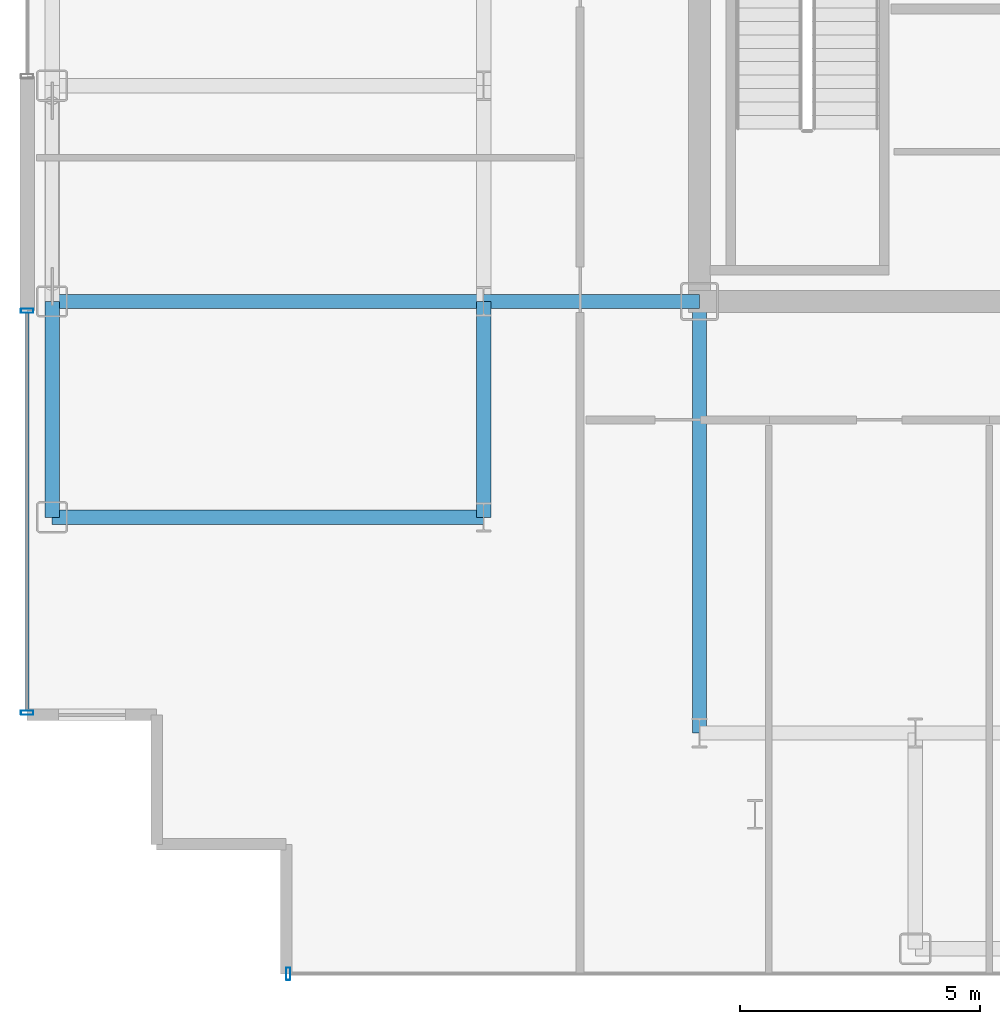
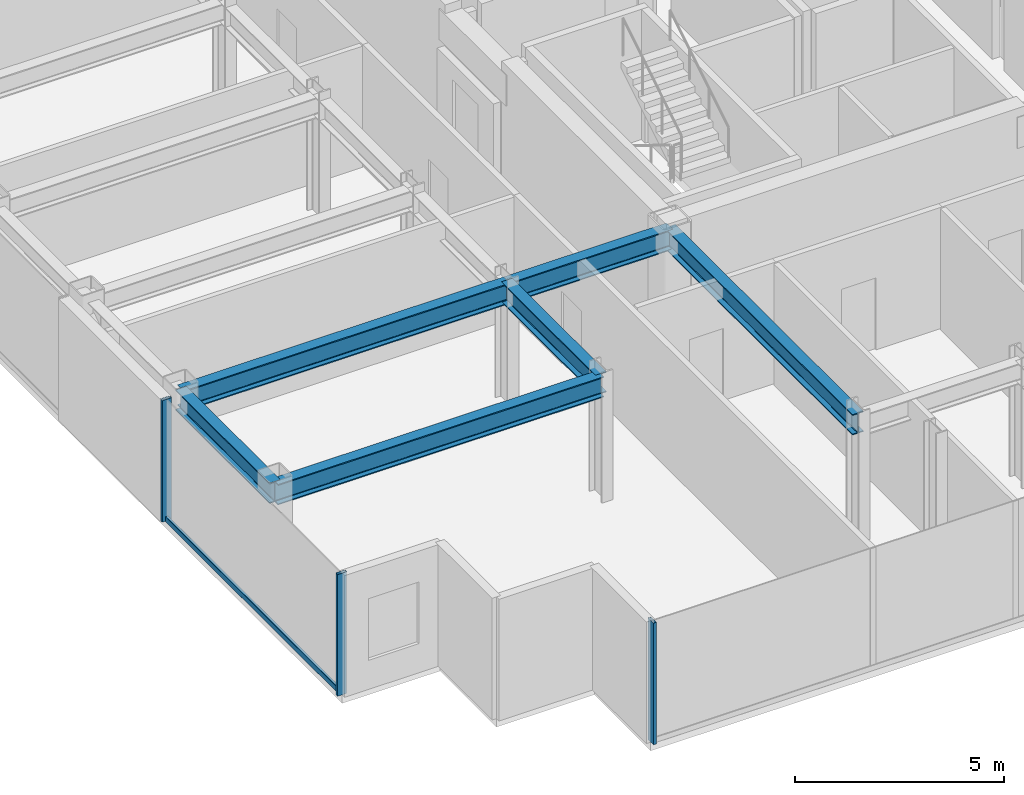
# One storey, part 2 of 16: 6 beams, 4 members, 2 elements without a shape of their own.
"""IFC4 building model written with IfcOpenShell, lengths in metres."""

from ifc_helpers import new_model, si_unit, direction, frame, origin, origin_2d, place, context, subcontext, project, spatial, hollow_rectangle, i_section, extrude, source, transform, mapped, material, layer, layer_set, material_profile, profile_set, type_object, element, aggregate, save


model = new_model("IFC4")

# Units and contexts
model_context = context("Model", 3, precision=1e-05, world=origin(), true_north=direction((0.0, 1.0)))
body_context = subcontext(model_context, "Body", "Model", "MODEL_VIEW")
ifc_project = project(units=[si_unit("LENGTHUNIT", "METRE"), si_unit("AREAUNIT", "SQUARE_METRE"), si_unit("VOLUMEUNIT", "CUBIC_METRE"), si_unit("PLANEANGLEUNIT", "RADIAN"), si_unit("MASSUNIT", "GRAM", prefix="KILO")], contexts=[model_context])

# Site, building, storey
site_placement = place(None, origin())
site = spatial("IfcSite", under=ifc_project, at=site_placement, CompositionType="ELEMENT")
building_placement = place(site_placement, origin())
building = spatial("IfcBuilding", under=site, at=building_placement, Name="Nefas-Gora Pilgrimage Tower", CompositionType="ELEMENT")
storey_placement = place(building_placement, frame((0.0, 0.0, 287.39990234375)))
storey = spatial("IfcBuildingStorey", under=building, at=storey_placement, Name="L72", CompositionType="ELEMENT", Elevation=287.39990234375)

# Beams
ifc_material_1 = material(Name="Steel S355", Category="steel")
ifc_material_profile_1 = material_profile(ifc_material_1, i_section(OverallWidth=0.300048828125, OverallDepth=0.60009765625, WebThickness=0.015380859375, FlangeThickness=0.030029296875, FilletRadius=0.027099609375, at=origin_2d()), Name="HEB 600")
ifc_profile_set_1 = profile_set([ifc_material_profile_1], Name="Steel S355")
beam_type_1 = type_object("IfcBeamType", Name="BM-SPN-HEB450", PredefinedType="SPANDREL", material=ifc_profile_set_1)
shared_shape_1 = source(origin(), body_context, "Body", "SweptSolid", [
    extrude(i_section(OverallWidth=0.300048828125, OverallDepth=0.60009765625, WebThickness=0.015380859375, FlangeThickness=0.030029296875, FilletRadius=0.027099609375, at=origin_2d()), origin(), (0.0, 0.0, 1.0), 4.5),
])
beam_placement = place(storey_placement, frame((-24.75, -13.5, 3.25), z_axis=(0.0, 1.0, 0.0), x_axis=(-1.0, 0.0, 0.0)))
element("IfcBeam", 1, at=beam_placement, inside=storey, type_object=beam_type_1, Name="L72 SP-03 beam", PredefinedType="SPANDREL", context=body_context, shape_type="MappedRepresentation", body=[
    mapped(shared_shape_1, transform((0.0, 0.0, 0.0), x_axis=(1.0, 0.0, 0.0), y_axis=(0.0, 1.0, 0.0), z_axis=(0.0, 0.0, 1.0), scale=1.0)),
])
ifc_material_profile_2 = material_profile(ifc_material_1, i_section(OverallWidth=0.300048828125, OverallDepth=0.60009765625, WebThickness=0.015380859375, FlangeThickness=0.030029296875, FilletRadius=0.027099609375, at=origin_2d()), Name="HEB 600")
ifc_profile_set_2 = profile_set([ifc_material_profile_2], Name="Steel S355")
beam_type_2 = type_object("IfcBeamType", Name="BM-GIR-HEB600", PredefinedType="BEAM", material=ifc_profile_set_2)
shared_shape_2 = source(origin(), body_context, "Body", "SweptSolid", [
    extrude(i_section(OverallWidth=0.300048828125, OverallDepth=0.60009765625, WebThickness=0.015380859375, FlangeThickness=0.030029296875, FilletRadius=0.027099609375, at=origin_2d()), origin(), (0.0, 0.0, 1.0), 9.0),
])
for number, where, z_axis, x_axis, name in (
    (2, (-24.75, -13.5, 3.25), (1.0, 0.0, 0.0), (0.0, 1.0, 0.0), "L72 G-04 beam"),
    (3, (-24.75, -9.0, 3.25), (1.0, 0.0, 0.0), (0.0, 1.0, 0.0), "L72 G-04 beam"),
    (4, (-11.25, -18.0, 3.25), (0.0, 1.0, 0.0), (-1.0, 0.0, 0.0), "L72 G-04 beam"),
):
    element("IfcBeam", number, at=place(storey_placement, frame(where, z_axis=z_axis, x_axis=x_axis)), inside=storey, type_object=beam_type_2, Name=name, PredefinedType="BEAM", context=body_context, shape_type="MappedRepresentation", body=[
        mapped(shared_shape_2, transform((0.0, 0.0, 0.0), x_axis=(1.0, 0.0, 0.0), y_axis=(0.0, 1.0, 0.0), z_axis=(0.0, 0.0, 1.0), scale=1.0)),
    ])
shared_shape_3 = source(origin(), body_context, "Body", "SweptSolid", [
    extrude(i_section(OverallWidth=0.300048828125, OverallDepth=0.60009765625, WebThickness=0.015380859375, FlangeThickness=0.030029296875, FilletRadius=0.027099609375, at=origin_2d()), origin(), (0.0, 0.0, 1.0), 4.5),
])
for number, where, z_axis, x_axis, name in (
    (5, (-15.75, -13.5, 3.25), (0.0, 1.0, 0.0), (-1.0, 0.0, 0.0), "L72 G-04 beam"),
    (6, (-15.75, -9.0, 3.25), (1.0, 0.0, 0.0), (0.0, 1.0, 0.0), "L72 G-04 beam"),
):
    element("IfcBeam", number, at=place(storey_placement, frame(where, z_axis=z_axis, x_axis=x_axis)), inside=storey, type_object=beam_type_2, Name=name, PredefinedType="BEAM", context=body_context, shape_type="MappedRepresentation", body=[
        mapped(shared_shape_3, transform((0.0, 0.0, 0.0), x_axis=(1.0, 0.0, 0.0), y_axis=(0.0, 1.0, 0.0), z_axis=(0.0, 0.0, 1.0), scale=1.0)),
    ])

# Curtain wall, members
ifc_material_2 = material(Name="Dark ceramic-fritted solar-control aluminium-glass curtain wall", Category="aluminium")
ifc_layer = layer(ifc_material_2, 0.219970703125)
ifc_layer_set = layer_set([ifc_layer], Name="Dark ceramic-fritted solar-control aluminium-glass curtain wall")
curtain_wall_type = type_object("IfcCurtainWallType", Name="CW-SYS-4", PredefinedType="NOTDEFINED", material=ifc_layer_set)
curtain_wall_1_placement = place(storey_placement, origin())
curtain_wall_1 = element("IfcCurtainWall", 7, at=curtain_wall_1_placement, inside=storey, type_object=curtain_wall_type, Name="L72 Unitised Curtain Wall CW4", PredefinedType="NOTDEFINED")
ifc_material_3 = material(Name="Anodised architectural aluminium", Category="aluminium")
ifc_material_profile_3 = material_profile(ifc_material_3, hollow_rectangle(XDim=0.080078125, YDim=0.159912109375, WallThickness=0.00439453125, InnerFilletRadius=0.00439453125, OuterFilletRadius=0.009033203125, at=origin_2d()), Name="ALU TRANSOM 80x160")
ifc_profile_set_3 = profile_set([ifc_material_profile_3], Name="Anodised architectural aluminium")
member_type_1 = type_object("IfcMemberType", Name="CWM-TRN-4", PredefinedType="USERDEFINED", material=ifc_profile_set_3)
shared_shape_4 = source(origin(), body_context, "Body", "SweptSolid", [
    extrude(hollow_rectangle(XDim=0.080078125, YDim=0.159912109375, WallThickness=0.00439453125, InnerFilletRadius=0.00439453125, OuterFilletRadius=0.009033203125, at=origin_2d()), origin(), (0.0, 0.0, 1.0), 8.2900390625),
])
member_1_placement = place(storey_placement, frame((-25.27001953125, -9.239990234375, 0.050048828125), z_axis=(0.0, -1.0, 0.0), x_axis=(1.0, 0.0, 0.0)))
member_1 = element("IfcMember", 8, at=member_1_placement, type_object=member_type_1, Name="CW4 Spandrel Transom", ObjectType="TRANSOM", PredefinedType="USERDEFINED", context=body_context, shape_type="MappedRepresentation", body=[
    mapped(shared_shape_4, transform((0.0, 0.0, 0.0), x_axis=(1.0, 0.0, 0.0), y_axis=(0.0, 1.0, 0.0), z_axis=(0.0, 0.0, 1.0), scale=1.0)),
])
ifc_material_profile_4 = material_profile(ifc_material_3, hollow_rectangle(XDim=0.090087890625, YDim=0.260009765625, WallThickness=0.006103515625, InnerFilletRadius=0.006103515625, OuterFilletRadius=0.011962890625, at=origin_2d()), Name="ALU MULLION 90x260")
ifc_profile_set_4 = profile_set([ifc_material_profile_4], Name="Anodised architectural aluminium")
member_type_2 = type_object("IfcMemberType", Name="CWM-MUL-4", PredefinedType="MULLION", material=ifc_profile_set_4)
shared_shape_5 = source(origin(), body_context, "Body", "SweptSolid", [
    extrude(hollow_rectangle(XDim=0.090087890625, YDim=0.260009765625, WallThickness=0.006103515625, InnerFilletRadius=0.006103515625, OuterFilletRadius=0.011962890625, at=origin_2d()), origin(), (0.0, 0.0, 1.0), 3.550048828125),
])
member_2_placement = place(storey_placement, frame((-25.27001953125, -9.195068359375, 0.0), z_axis=(0.0, 0.0, 1.0), x_axis=(0.0, -1.0, 0.0)))
member_2 = element("IfcMember", 9, at=member_2_placement, type_object=member_type_2, Name="CW4 Mullion 1", PredefinedType="MULLION", context=body_context, shape_type="MappedRepresentation", body=[
    mapped(shared_shape_5, transform((0.0, 0.0, 0.0), x_axis=(1.0, 0.0, 0.0), y_axis=(0.0, 1.0, 0.0), z_axis=(0.0, 0.0, 1.0), scale=1.0)),
])
member_3_placement = place(storey_placement, frame((-25.27001953125, -17.574951171875, 0.0), z_axis=(0.0, 0.0, 1.0), x_axis=(0.0, -1.0, 0.0)))
member_3 = element("IfcMember", 10, at=member_3_placement, type_object=member_type_2, Name="CW4 Mullion 2", PredefinedType="MULLION", context=body_context, shape_type="MappedRepresentation", body=[
    mapped(shared_shape_5, transform((0.0, 0.0, 0.0), x_axis=(1.0, 0.0, 0.0), y_axis=(0.0, 1.0, 0.0), z_axis=(0.0, 0.0, 1.0), scale=1.0)),
])
aggregate(curtain_wall_1, [member_2, member_3, member_1])

# Curtain wall, member
curtain_wall_2_placement = place(storey_placement, origin())
curtain_wall_2 = element("IfcCurtainWall", 11, at=curtain_wall_2_placement, inside=storey, type_object=curtain_wall_type, Name="L72 Unitised Curtain Wall CW4", PredefinedType="NOTDEFINED")
member_4_placement = place(storey_placement, frame((-19.824951171875, -23.02001953125, 0.0), z_axis=(0.0, 0.0, 1.0), x_axis=(1.0, 0.0, 0.0)))
member_4 = element("IfcMember", 12, at=member_4_placement, type_object=member_type_2, Name="CW4 Mullion 1", PredefinedType="MULLION", context=body_context, shape_type="MappedRepresentation", body=[
    mapped(shared_shape_5, transform((0.0, 0.0, 0.0), x_axis=(1.0, 0.0, 0.0), y_axis=(0.0, 1.0, 0.0), z_axis=(0.0, 0.0, 1.0), scale=1.0)),
])
aggregate(curtain_wall_2, [member_4])

save(model, "model.ifc")
